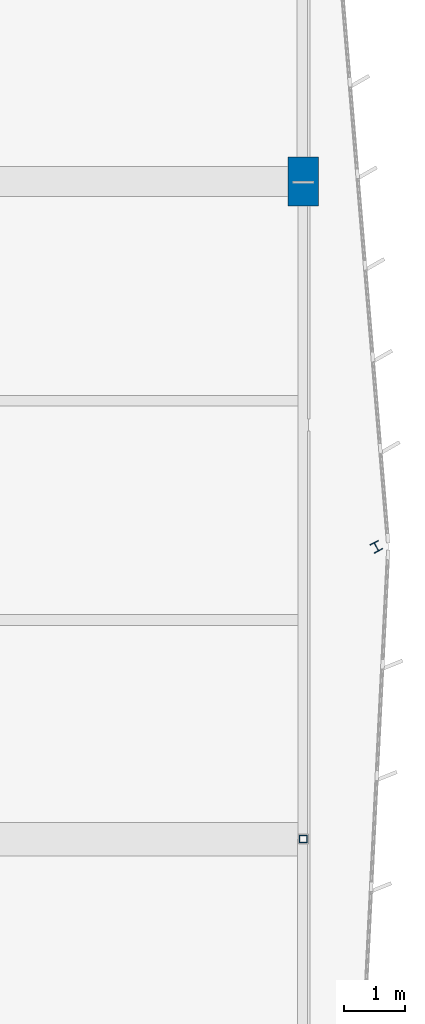
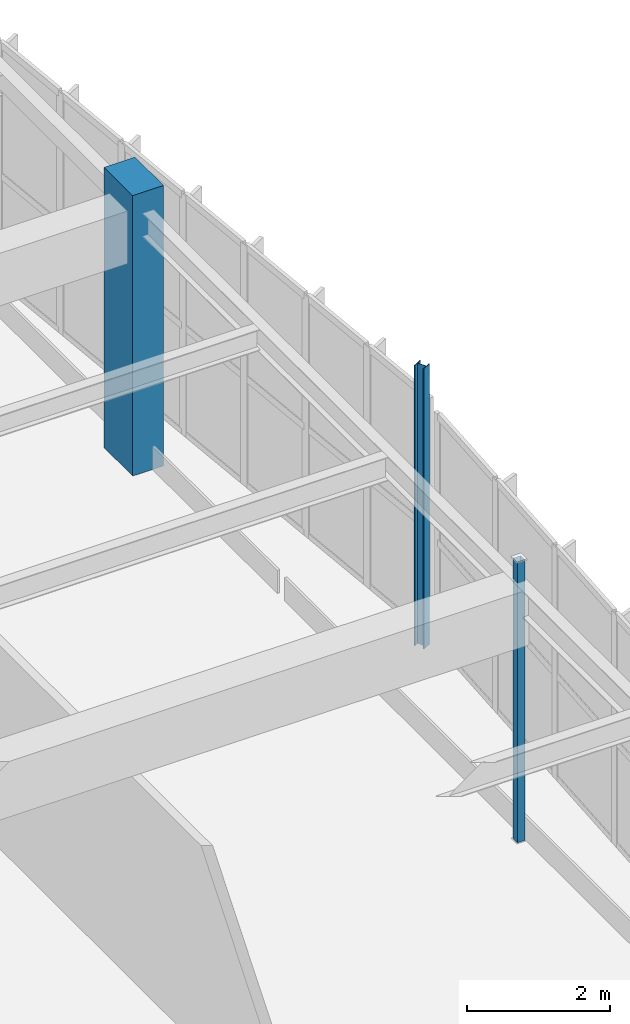
# One storey, part 60 of 226: 3 columns.
"""IFC4 building model written with IfcOpenShell, lengths in metres."""

from ifc_helpers import new_model, si_unit, direction, frame, origin, origin_2d, place, context, subcontext, project, spatial, rectangle, hollow_rectangle, i_section, extrude, material, material_profile, profile_set, type_object, element, save


model = new_model("IFC4")

# Units and contexts
model_context = context("Model", 3, precision=1e-05, world=origin(), true_north=direction((0.0, 1.0)))
body_context = subcontext(model_context, "Body", "Model", "MODEL_VIEW")
ifc_project = project(units=[si_unit("LENGTHUNIT", "METRE"), si_unit("AREAUNIT", "SQUARE_METRE"), si_unit("VOLUMEUNIT", "CUBIC_METRE"), si_unit("PLANEANGLEUNIT", "RADIAN"), si_unit("MASSUNIT", "GRAM", prefix="KILO")], contexts=[model_context])

# Site, building, storey
site_placement = place(None, origin())
site = spatial("IfcSite", under=ifc_project, at=site_placement, CompositionType="ELEMENT")
building_placement = place(site_placement, origin())
building = spatial("IfcBuilding", under=site, at=building_placement, Name="Tarnwether General Hospital", CompositionType="ELEMENT")
storey_placement = place(building_placement, frame((0.0, 0.0, 4.800048828125)))
storey = spatial("IfcBuildingStorey", under=building, at=storey_placement, Name="L01", CompositionType="ELEMENT", Elevation=4.800048828125)

# Columns
ifc_material_1 = material(Name="Concrete 50 MPa", Category="concrete")
ifc_material_profile_1 = material_profile(ifc_material_1, rectangle(XDim=0.5, YDim=0.800048828125, at=origin_2d()), Name="RC-PIL-500x800")
ifc_profile_set_1 = profile_set([ifc_material_profile_1], Name="Concrete 50 MPa")
column_type_1 = type_object("IfcColumnType", Name="COL-23", PredefinedType="PILASTER", material=ifc_profile_set_1)
column_1_placement = place(storey_placement, frame((192.0, 115.199951171875, 0.0), z_axis=(0.0, 0.0, 1.0), x_axis=(1.0, 0.0, 0.0)))
element("IfcColumn", 1, at=column_1_placement, inside=storey, type_object=column_type_1, Name="Column COLG-L01-19200_11520", PredefinedType="PILASTER", context=body_context, shape_type="SweptSolid", body=[
    extrude(rectangle(XDim=0.5, YDim=0.800048828125, at=origin_2d()), origin(), (0.0, 0.0, 1.0), 4.800048828125),
])
ifc_material_2 = material(Name="Steel Grade 350 (350 MPa)", Category="steel")
ifc_material_profile_2 = material_profile(ifc_material_2, i_section(OverallWidth=0.154052734375, OverallDepth=0.162109375, WebThickness=0.008056640625, FlangeThickness=0.011474609375, at=origin_2d()), Name="150UC37.2")
ifc_profile_set_2 = profile_set([ifc_material_profile_2], Name="Steel Grade 350 (350 MPa)")
column_type_2 = type_object("IfcColumnType", Name="COL-28", PredefinedType="COLUMN", material=ifc_profile_set_2)
column_2_placement = place(storey_placement, frame((193.199951171875, 109.199951171875, 0.0), z_axis=(0.0, 0.0, 1.0), x_axis=(0.882947592859, 0.469471562786, 0.0)))
element("IfcColumn", 2, at=column_2_placement, inside=storey, type_object=column_type_2, Name="Column COLG-L01-19320_10920", PredefinedType="COLUMN", context=body_context, shape_type="SweptSolid", body=[
    extrude(i_section(OverallWidth=0.154052734375, OverallDepth=0.162109375, WebThickness=0.008056640625, FlangeThickness=0.011474609375, at=origin_2d()), origin(), (0.0, 0.0, 1.0), 4.800048828125),
])
ifc_material_3 = material(Name="Steel Grade C350L0 (350 MPa)", Category="steel")
ifc_material_profile_3 = material_profile(ifc_material_3, hollow_rectangle(XDim=0.125, YDim=0.125, WallThickness=0.006103515625, at=origin_2d()), Name="SHS125x125x6")
ifc_profile_set_3 = profile_set([ifc_material_profile_3], Name="Steel Grade C350L0 (350 MPa)")
column_type_3 = type_object("IfcColumnType", Name="COL-34", PredefinedType="COLUMN", material=ifc_profile_set_3)
column_3_placement = place(storey_placement, frame((192.0, 104.39990234375, 0.0), z_axis=(0.0, 0.0, 1.0), x_axis=(1.0, 0.0, 0.0)))
element("IfcColumn", 3, at=column_3_placement, inside=storey, type_object=column_type_3, Name="Column COLG-L01-19200_10440", PredefinedType="COLUMN", context=body_context, shape_type="SweptSolid", body=[
    extrude(hollow_rectangle(XDim=0.125, YDim=0.125, WallThickness=0.006103515625, at=origin_2d()), origin(), (0.0, 0.0, 1.0), 4.800048828125),
])

save(model, "model.ifc")
